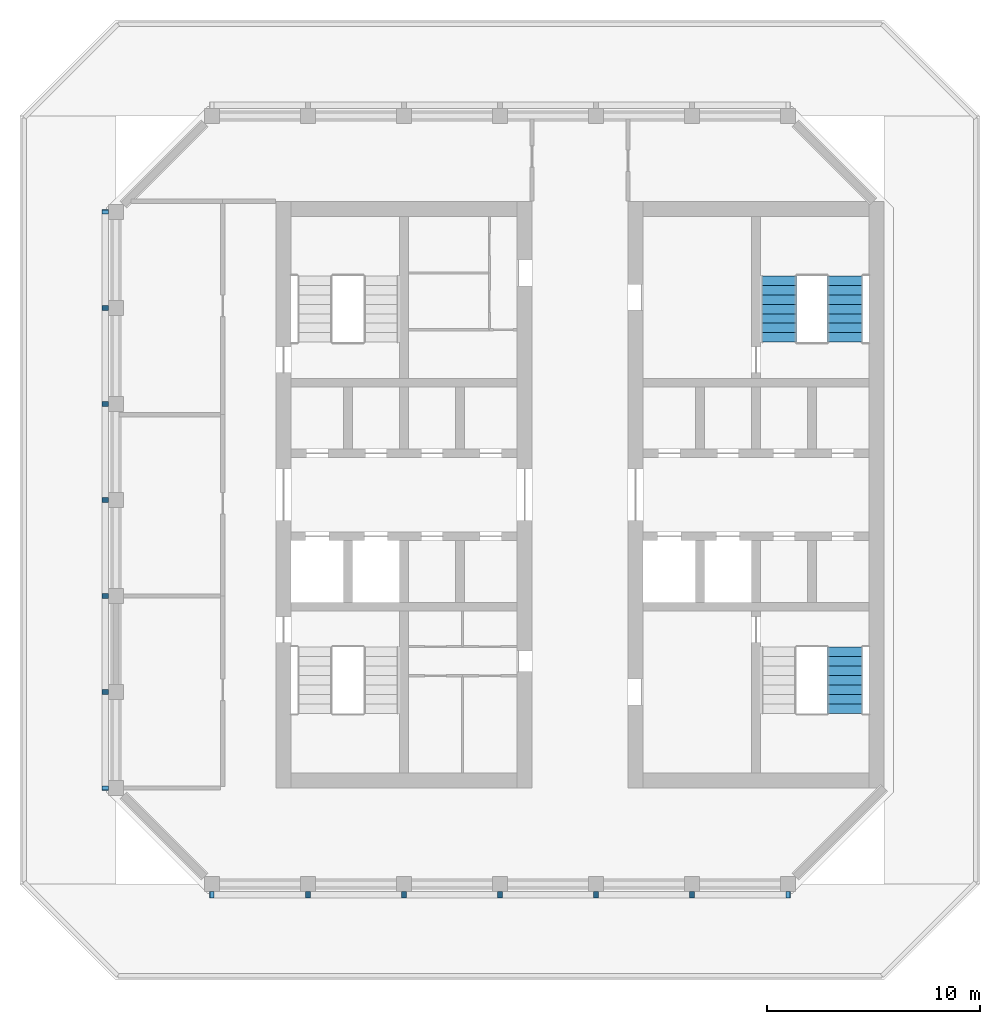
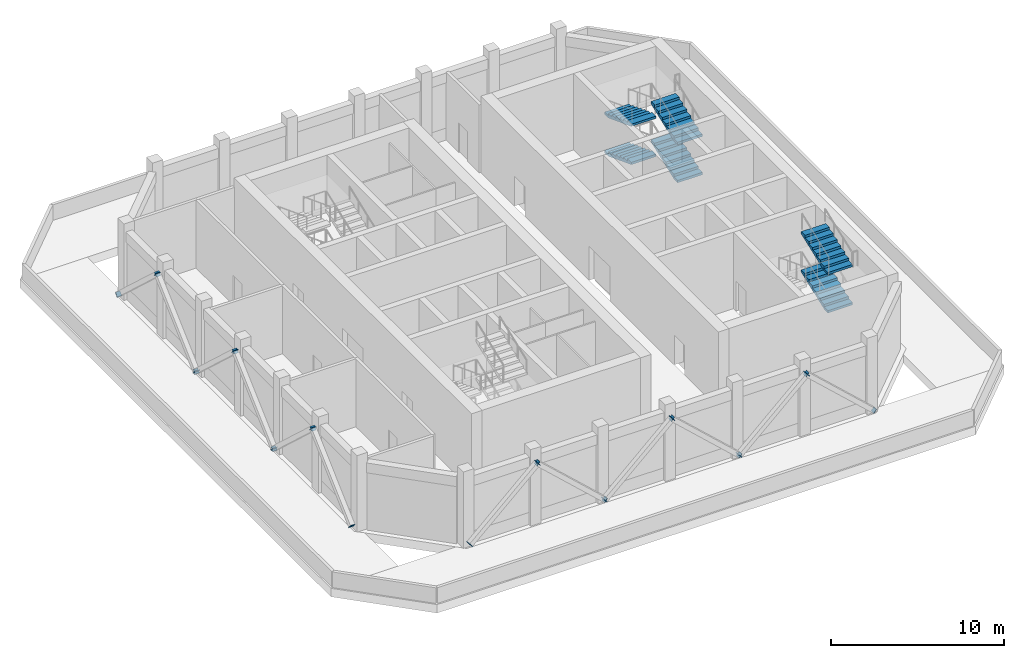
# One storey, part 5 of 8: 24 discrete accessories, 6 stair flights, 2 elements without a shape of their own.
"""IFC4 building model written with IfcOpenShell, lengths in metres."""

from ifc_helpers import new_model, si_unit, direction, frame, origin, origin_2d, place, context, subcontext, project, spatial, polyline, rectangle, outline, extrude, material, material_profile, profile_set, type_object, element, aggregate, save


model = new_model("IFC4")

# Units and contexts
model_context = context("Model", 3, precision=1e-05, world=origin(), true_north=direction((0.0, 1.0)))
body_context = subcontext(model_context, "Body", "Model", "MODEL_VIEW")
ifc_project = project(units=[si_unit("LENGTHUNIT", "METRE"), si_unit("AREAUNIT", "SQUARE_METRE"), si_unit("VOLUMEUNIT", "CUBIC_METRE"), si_unit("PLANEANGLEUNIT", "RADIAN"), si_unit("MASSUNIT", "GRAM", prefix="KILO")], contexts=[model_context])

# Site, building, storey
site_placement = place(None, origin())
site = spatial("IfcSite", under=ifc_project, at=site_placement, CompositionType="ELEMENT")
building_placement = place(site_placement, origin())
building = spatial("IfcBuilding", under=site, at=building_placement, Name="Corbel Stack Research Tower", CompositionType="ELEMENT")
storey_placement = place(building_placement, frame((0.0, 0.0, 301.0)))
storey = spatial("IfcBuildingStorey", under=building, at=storey_placement, Name="L68", CompositionType="ELEMENT", Elevation=301.0)

# Stair, stair flights
ifc_material_1 = material(Name="Concrete C40/50", Category="concrete")
stair_type = type_object("IfcStairType", Name="Exit stair 32 risers, 443 going", PredefinedType="HALF_TURN_STAIR", material=ifc_material_1)
stair_1_placement = place(storey_placement, origin())
stair_1 = element("IfcStair", 1, at=stair_1_placement, inside=storey, type_object=stair_type, Name="L68 Exit stair ST-E1", PredefinedType="HALF_TURN_STAIR")
ifc_material_2 = material(Name="Concrete C40/50", Category="concrete")
stair_flight_type = type_object("IfcStairFlightType", Name="Stair flight 8 risers, 443 going", PredefinedType="STRAIGHT", material=ifc_material_2)
stair_flight_1_placement = place(storey_placement, frame((16.175048828125, -5.5009765625, 1.35009765625), z_axis=(0.0, 0.0, 1.0), x_axis=(0.0, 1.0, 0.0)))
stair_flight_1 = element("IfcStairFlight", 2, at=stair_flight_1_placement, type_object=stair_flight_type, Name="ST-E1 flight 2", NumberOfRisers=8, NumberOfTreads=7, PredefinedType="STRAIGHT", RiserHeight=0.16875, TreadLength=0.443, context=body_context, shape_type="SweptSolid", body=[
    extrude(outline(polyline([(0.0, 0.0), (0.0, 0.168701171875), (0.443115234375, 0.168701171875), (0.443115234375, 0.33740234375), (0.885986328125, 0.33740234375), (0.885986328125, 0.50634765625), (1.3291015625, 0.50634765625), (1.3291015625, 0.675048828125), (1.77197265625, 0.675048828125), (1.77197265625, 0.84375), (2.215087890625, 0.84375), (2.215087890625, 1.012451171875), (2.657958984375, 1.012451171875), (2.657958984375, 1.18115234375), (3.10107421875, 1.18115234375), (3.10107421875, 1.35009765625), (3.10107421875, 1.020751953125), (0.421142578125, 0.0), (0.0, 0.0)])), frame((0.0, 0.824951171875, 0.0), z_axis=(0.0, -1.0, 0.0), x_axis=(1.0, 0.0, 0.0)), (0.0, 0.0, 1.0), 1.64990234375),
])
stair_flight_2_placement = place(storey_placement, frame((16.175048828125, -5.5009765625, 4.050048828125), z_axis=(0.0, 0.0, 1.0), x_axis=(0.0, 1.0, 0.0)))
stair_flight_2 = element("IfcStairFlight", 3, at=stair_flight_2_placement, type_object=stair_flight_type, Name="ST-E1 flight 4", NumberOfRisers=8, NumberOfTreads=7, PredefinedType="STRAIGHT", RiserHeight=0.16875, TreadLength=0.443, context=body_context, shape_type="SweptSolid", body=[
    extrude(outline(polyline([(0.0, 0.0), (0.0, 0.168701171875), (0.443115234375, 0.168701171875), (0.443115234375, 0.33740234375), (0.885986328125, 0.33740234375), (0.885986328125, 0.50634765625), (1.3291015625, 0.50634765625), (1.3291015625, 0.675048828125), (1.77197265625, 0.675048828125), (1.77197265625, 0.84375), (2.215087890625, 0.84375), (2.215087890625, 1.012451171875), (2.657958984375, 1.012451171875), (2.657958984375, 1.18115234375), (3.10107421875, 1.18115234375), (3.10107421875, 1.35009765625), (3.10107421875, 1.020751953125), (0.421142578125, 0.0), (0.0, 0.0)])), frame((0.0, 0.824951171875, 0.0), z_axis=(0.0, -1.0, 0.0), x_axis=(1.0, 0.0, 0.0)), (0.0, 0.0, 1.0), 1.64990234375),
])
aggregate(stair_1, [stair_flight_1, stair_flight_2])

stair_2_placement = place(storey_placement, origin())
stair_2 = element("IfcStair", 4, at=stair_2_placement, inside=storey, type_object=stair_type, Name="L68 Exit stair ST-E2", PredefinedType="HALF_TURN_STAIR")
stair_flight_3_placement = place(storey_placement, frame((16.175048828125, 11.89990234375, 0.0), z_axis=(0.0, 0.0, 1.0), x_axis=(0.0, 1.0, 0.0)))
stair_flight_3 = element("IfcStairFlight", 5, at=stair_flight_3_placement, type_object=stair_flight_type, Name="ST-E2 flight 1", NumberOfRisers=8, NumberOfTreads=7, PredefinedType="STRAIGHT", RiserHeight=0.16875, TreadLength=0.443, context=body_context, shape_type="SweptSolid", body=[
    extrude(outline(polyline([(0.0, 0.0), (0.0, 0.168701171875), (0.443115234375, 0.168701171875), (0.443115234375, 0.33740234375), (0.885986328125, 0.33740234375), (0.885986328125, 0.50634765625), (1.3291015625, 0.50634765625), (1.3291015625, 0.675048828125), (1.77197265625, 0.675048828125), (1.77197265625, 0.84375), (2.215087890625, 0.84375), (2.215087890625, 1.012451171875), (2.657958984375, 1.012451171875), (2.657958984375, 1.18115234375), (3.10107421875, 1.18115234375), (3.10107421875, 1.35009765625), (3.10107421875, 1.020751953125), (0.421142578125, 0.0), (0.0, 0.0)])), frame((0.0, 0.824951171875, 0.0), z_axis=(0.0, -1.0, 0.0), x_axis=(1.0, 0.0, 0.0)), (0.0, 0.0, 1.0), 1.64990234375),
])
stair_flight_4_placement = place(storey_placement, frame((13.074951171875, 15.0009765625, 1.35009765625), z_axis=(0.0, 0.0, 1.0), x_axis=(0.0, -1.0, 0.0)))
stair_flight_4 = element("IfcStairFlight", 6, at=stair_flight_4_placement, type_object=stair_flight_type, Name="ST-E2 flight 2", NumberOfRisers=8, NumberOfTreads=7, PredefinedType="STRAIGHT", RiserHeight=0.16875, TreadLength=0.443, context=body_context, shape_type="SweptSolid", body=[
    extrude(outline(polyline([(0.0, 0.0), (0.0, 0.168701171875), (0.443115234375, 0.168701171875), (0.443115234375, 0.33740234375), (0.885986328125, 0.33740234375), (0.885986328125, 0.50634765625), (1.3291015625, 0.50634765625), (1.3291015625, 0.675048828125), (1.77197265625, 0.675048828125), (1.77197265625, 0.84375), (2.215087890625, 0.84375), (2.215087890625, 1.012451171875), (2.657958984375, 1.012451171875), (2.657958984375, 1.18115234375), (3.10107421875, 1.18115234375), (3.10107421875, 1.35009765625), (3.10107421875, 1.020751953125), (0.421142578125, 0.0), (0.0, 0.0)])), frame((0.0, 0.824951171875, 0.0), z_axis=(0.0, -1.0, 0.0), x_axis=(1.0, 0.0, 0.0)), (0.0, 0.0, 1.0), 1.64990234375),
])
stair_flight_5_placement = place(storey_placement, frame((16.175048828125, 11.89990234375, 2.699951171875), z_axis=(0.0, 0.0, 1.0), x_axis=(0.0, 1.0, 0.0)))
stair_flight_5 = element("IfcStairFlight", 7, at=stair_flight_5_placement, type_object=stair_flight_type, Name="ST-E2 flight 3", NumberOfRisers=8, NumberOfTreads=7, PredefinedType="STRAIGHT", RiserHeight=0.16875, TreadLength=0.443, context=body_context, shape_type="SweptSolid", body=[
    extrude(outline(polyline([(0.0, 0.0), (0.0, 0.168701171875), (0.443115234375, 0.168701171875), (0.443115234375, 0.33740234375), (0.885986328125, 0.33740234375), (0.885986328125, 0.50634765625), (1.3291015625, 0.50634765625), (1.3291015625, 0.675048828125), (1.77197265625, 0.675048828125), (1.77197265625, 0.84375), (2.215087890625, 0.84375), (2.215087890625, 1.012451171875), (2.657958984375, 1.012451171875), (2.657958984375, 1.18115234375), (3.10107421875, 1.18115234375), (3.10107421875, 1.35009765625), (3.10107421875, 1.020751953125), (0.421142578125, 0.0), (0.0, 0.0)])), frame((0.0, 0.824951171875, 0.0), z_axis=(0.0, -1.0, 0.0), x_axis=(1.0, 0.0, 0.0)), (0.0, 0.0, 1.0), 1.64990234375),
])
stair_flight_6_placement = place(storey_placement, frame((13.074951171875, 15.0009765625, 4.050048828125), z_axis=(0.0, 0.0, 1.0), x_axis=(0.0, -1.0, 0.0)))
stair_flight_6 = element("IfcStairFlight", 8, at=stair_flight_6_placement, type_object=stair_flight_type, Name="ST-E2 flight 4", NumberOfRisers=8, NumberOfTreads=7, PredefinedType="STRAIGHT", RiserHeight=0.16875, TreadLength=0.443, context=body_context, shape_type="SweptSolid", body=[
    extrude(outline(polyline([(0.0, 0.0), (0.0, 0.168701171875), (0.443115234375, 0.168701171875), (0.443115234375, 0.33740234375), (0.885986328125, 0.33740234375), (0.885986328125, 0.50634765625), (1.3291015625, 0.50634765625), (1.3291015625, 0.675048828125), (1.77197265625, 0.675048828125), (1.77197265625, 0.84375), (2.215087890625, 0.84375), (2.215087890625, 1.012451171875), (2.657958984375, 1.012451171875), (2.657958984375, 1.18115234375), (3.10107421875, 1.18115234375), (3.10107421875, 1.35009765625), (3.10107421875, 1.020751953125), (0.421142578125, 0.0), (0.0, 0.0)])), frame((0.0, 0.824951171875, 0.0), z_axis=(0.0, -1.0, 0.0), x_axis=(1.0, 0.0, 0.0)), (0.0, 0.0, 1.0), 1.64990234375),
])
aggregate(stair_2, [stair_flight_3, stair_flight_4, stair_flight_5, stair_flight_6])

# Discrete accessories
ifc_material_3 = material(Name="Steel S355", Category="steel")
ifc_material_profile = material_profile(ifc_material_3, rectangle(XDim=0.304931640625, YDim=0.304931640625, at=origin_2d()), Name="End plate 305x305x25")
ifc_profile_set = profile_set([ifc_material_profile], Name="Steel S355")
discrete_accessory_type = type_object("IfcDiscreteAccessoryType", Name="End plate 305x305x25", PredefinedType="ANCHORPLATE", material=ifc_profile_set)
for number, where, z_axis, x_axis, name in (
    (9, (-13.5, -14.00244140625, 0.300048828125), (-0.735931011762, 0.0, -0.677056530821), (0.0, -1.0, 0.0), "Brace end plate L68-01a"),
    (10, (-9.0, -14.00244140625, 4.449951171875), (0.735931011762, 0.0, 0.677056530821), (0.0, 1.0, 0.0), "Brace end plate L68-01b"),
    (11, (-4.5, -14.00244140625, 0.300048828125), (0.735931011762, 0.0, -0.677056530821), (0.0, 1.0, 0.0), "Brace end plate L68-02a"),
    (12, (-9.0, -14.00244140625, 4.449951171875), (-0.735931011762, 0.0, 0.677056530821), (0.0, -1.0, 0.0), "Brace end plate L68-02b"),
    (13, (-4.5, -14.00244140625, 0.300048828125), (-0.735931011762, 0.0, -0.677056530821), (0.0, -1.0, 0.0), "Brace end plate L68-03a"),
    (14, (0.0, -14.00244140625, 4.449951171875), (0.735931011762, 0.0, 0.677056530821), (0.0, 1.0, 0.0), "Brace end plate L68-03b"),
    (15, (4.5, -14.00244140625, 0.300048828125), (0.735931011762, 0.0, -0.677056530821), (0.0, 1.0, 0.0), "Brace end plate L68-04a"),
    (16, (0.0, -14.00244140625, 4.449951171875), (-0.735931011762, 0.0, 0.677056530821), (0.0, -1.0, 0.0), "Brace end plate L68-04b"),
    (17, (4.5, -14.00244140625, 0.300048828125), (-0.735931011762, 0.0, -0.677056530821), (0.0, -1.0, 0.0), "Brace end plate L68-05a"),
    (18, (9.0, -14.00244140625, 4.449951171875), (0.735931011762, 0.0, 0.677056530821), (0.0, 1.0, 0.0), "Brace end plate L68-05b"),
    (19, (13.5, -14.00244140625, 0.300048828125), (0.735931011762, 0.0, -0.677056530821), (0.0, 1.0, 0.0), "Brace end plate L68-06a"),
    (20, (9.0, -14.00244140625, 4.449951171875), (-0.735931011762, 0.0, 0.677056530821), (0.0, -1.0, 0.0), "Brace end plate L68-06b"),
    (21, (-18.50244140625, 18.0, 0.300048828125), (0.0, 0.735931011762, -0.677056530821), (-1.0, 0.0, 0.0), "Brace end plate L68-13a"),
    (22, (-18.50244140625, 13.5, 4.449951171875), (0.0, -0.735931011762, 0.677056530821), (1.0, 0.0, 0.0), "Brace end plate L68-13b"),
    (23, (-18.50244140625, 9.0, 0.300048828125), (0.0, -0.735931011762, -0.677056530821), (1.0, 0.0, 0.0), "Brace end plate L68-14a"),
    (24, (-18.50244140625, 13.5, 4.449951171875), (0.0, 0.735931011762, 0.677056530821), (-1.0, 0.0, 0.0), "Brace end plate L68-14b"),
    (25, (-18.50244140625, 9.0, 0.300048828125), (0.0, 0.735931011762, -0.677056530821), (-1.0, 0.0, 0.0), "Brace end plate L68-15a"),
    (26, (-18.50244140625, 4.5, 4.449951171875), (0.0, -0.735931011762, 0.677056530821), (1.0, 0.0, 0.0), "Brace end plate L68-15b"),
    (27, (-18.50244140625, 0.0, 0.300048828125), (0.0, -0.735931011762, -0.677056530821), (1.0, 0.0, 0.0), "Brace end plate L68-16a"),
    (28, (-18.50244140625, 4.5, 4.449951171875), (0.0, 0.735931011762, 0.677056530821), (-1.0, 0.0, 0.0), "Brace end plate L68-16b"),
    (29, (-18.50244140625, 0.0, 0.300048828125), (0.0, 0.735931011762, -0.677056530821), (-1.0, 0.0, 0.0), "Brace end plate L68-17a"),
    (30, (-18.50244140625, -4.5, 4.449951171875), (0.0, -0.735931011762, 0.677056530821), (1.0, 0.0, 0.0), "Brace end plate L68-17b"),
    (31, (-18.50244140625, -9.0, 0.300048828125), (0.0, -0.735931011762, -0.677056530821), (1.0, 0.0, 0.0), "Brace end plate L68-18a"),
    (32, (-18.50244140625, -4.5, 4.449951171875), (0.0, 0.735931011762, 0.677056530821), (-1.0, 0.0, 0.0), "Brace end plate L68-18b"),
):
    element("IfcDiscreteAccessory", number, at=place(storey_placement, frame(where, z_axis=z_axis, x_axis=x_axis)), inside=storey, type_object=discrete_accessory_type, Name=name, PredefinedType="ANCHORPLATE", context=body_context, shape_type="SweptSolid", body=[
        extrude(rectangle(XDim=0.304931640625, YDim=0.304931640625, at=origin_2d()), origin(), (0.0, 0.0, 1.0), 0.02490234375),
    ])

save(model, "model.ifc")
